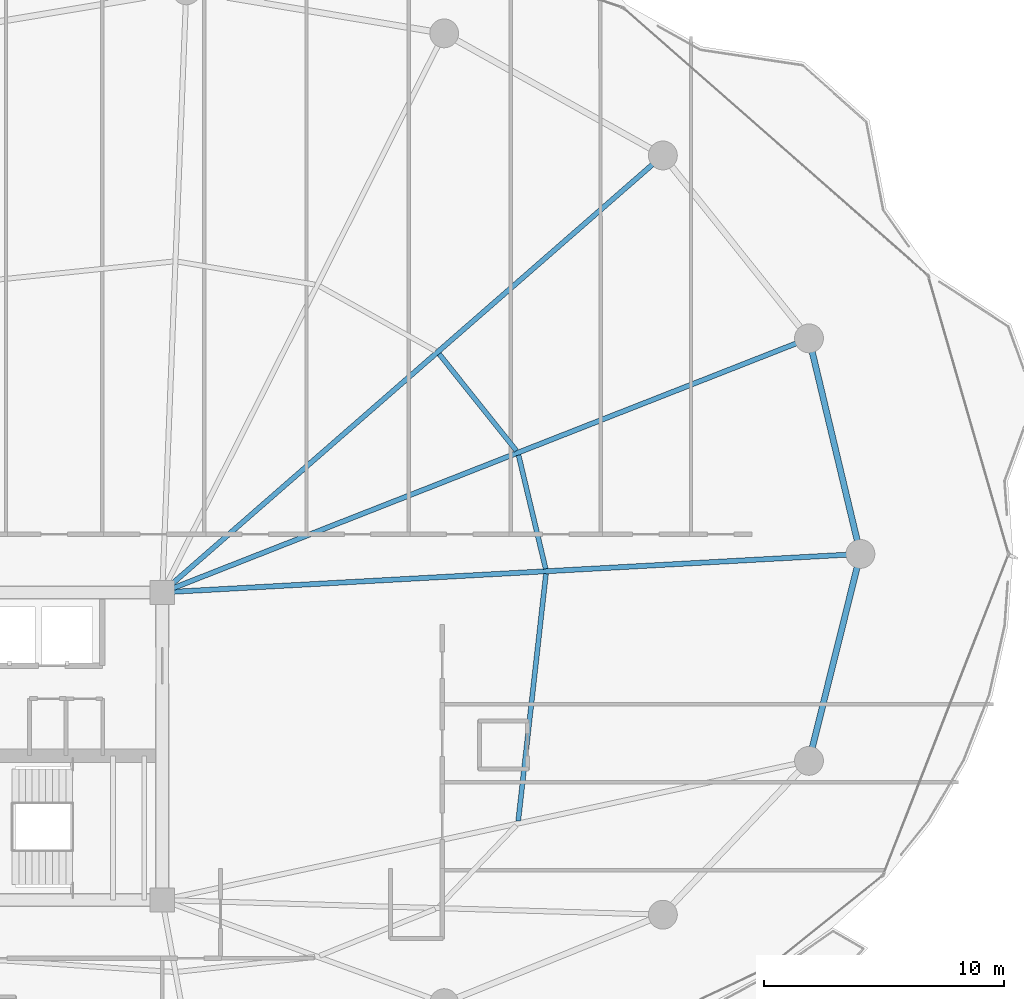
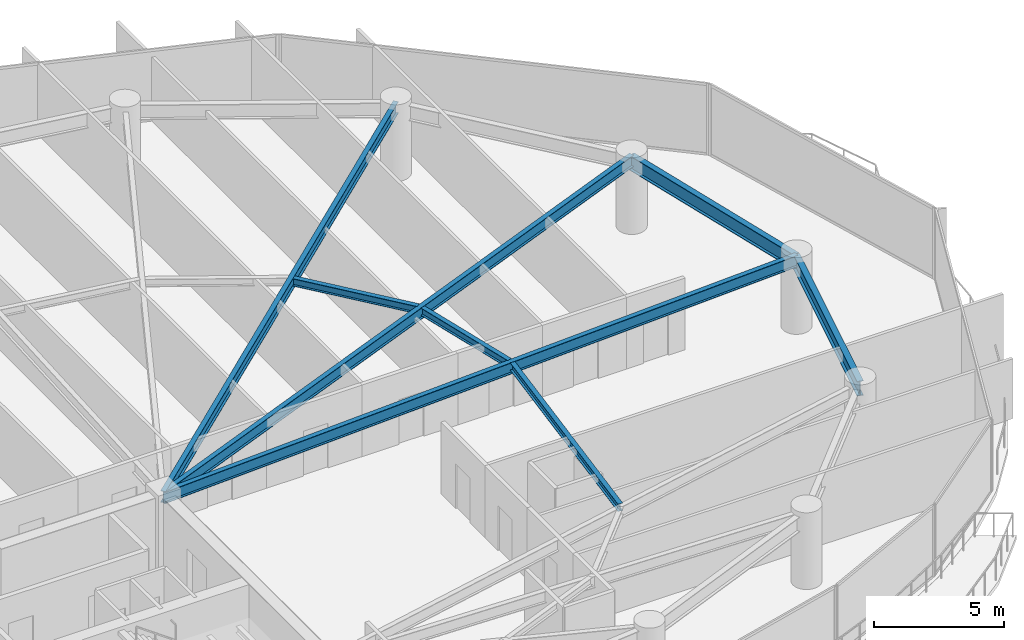
# One storey, part 16 of 34: 8 beams.
"""IFC4 building model written with IfcOpenShell, lengths in metres."""

from ifc_helpers import new_model, si_unit, direction, frame, origin, origin_2d, place, context, subcontext, project, spatial, i_section, extrude, material, material_profile, profile_set, type_object, element, save


model = new_model("IFC4")

# Units and contexts
model_context = context("Model", 3, precision=1e-05, world=origin(), true_north=direction((0.0, 1.0)))
body_context = subcontext(model_context, "Body", "Model", "MODEL_VIEW")
ifc_project = project(units=[si_unit("LENGTHUNIT", "METRE"), si_unit("AREAUNIT", "SQUARE_METRE"), si_unit("VOLUMEUNIT", "CUBIC_METRE"), si_unit("PLANEANGLEUNIT", "RADIAN"), si_unit("MASSUNIT", "GRAM", prefix="KILO")], contexts=[model_context])

# Site, building, storey
site_placement = place(None, origin())
site = spatial("IfcSite", under=ifc_project, at=site_placement, CompositionType="ELEMENT")
building_placement = place(site_placement, origin())
building = spatial("IfcBuilding", under=site, at=building_placement, Name="Kazevale Care Tower and Concert Hall", CompositionType="ELEMENT")
storey_placement = place(building_placement, frame((0.0, 0.0, 160.199951171875)))
storey = spatial("IfcBuildingStorey", under=building, at=storey_placement, Name="L42", CompositionType="ELEMENT", Elevation=160.199951171875)

# Beams
ifc_material = material(Name="Steel ASTM A572 Gr 50", Category="steel")
ifc_material_profile_1 = material_profile(ifc_material, i_section(OverallWidth=0.2119140625, OverallDepth=0.5439453125, WebThickness=0.01318359375, FlangeThickness=0.021240234375, at=origin_2d()), Name="W530x123")
ifc_profile_set_1 = profile_set([ifc_material_profile_1], Name="Steel ASTM A572 Gr 50")
beam_type_1 = type_object("IfcBeamType", Name="Radial Floor Girder W530x123", PredefinedType="BEAM", material=ifc_profile_set_1)
beam_1_placement = place(storey_placement, frame((44.0, 36.39990234375, 3.088134765625), z_axis=(0.998486500016, 0.054997357076, 0.0), x_axis=(-0.054997357076, 0.998486500016, 0.0)))
element("IfcBeam", 1, at=beam_1_placement, inside=storey, type_object=beam_type_1, Name="beam:L42:rad:01", PredefinedType="BEAM", context=body_context, shape_type="SweptSolid", body=[
    extrude(i_section(OverallWidth=0.2119140625, OverallDepth=0.5439453125, WebThickness=0.01318359375, FlangeThickness=0.021240234375, at=origin_2d()), origin(), (0.0, 0.0, 1.0), 29.093994140625),
])
beam_2_placement = place(storey_placement, frame((44.0, 36.39990234375, 3.088134765625), z_axis=(0.930771301513, 0.36560194786, 0.0), x_axis=(-0.36560194786, 0.930771301513, 0.0)))
element("IfcBeam", 2, at=beam_2_placement, inside=storey, type_object=beam_type_1, Name="beam:L42:rad:02", PredefinedType="BEAM", context=body_context, shape_type="SweptSolid", body=[
    extrude(i_section(OverallWidth=0.2119140625, OverallDepth=0.5439453125, WebThickness=0.01318359375, FlangeThickness=0.021240234375, at=origin_2d()), origin(), (0.0, 0.0, 1.0), 28.911376953125),
])
beam_3_placement = place(storey_placement, frame((44.0, 36.39990234375, 3.088134765625), z_axis=(0.753403181998, 0.657558853149, 0.0), x_axis=(-0.657558853149, 0.753403181998, 0.0)))
element("IfcBeam", 3, at=beam_3_placement, inside=storey, type_object=beam_type_1, Name="beam:L42:rad:03", PredefinedType="BEAM", context=body_context, shape_type="SweptSolid", body=[
    extrude(i_section(OverallWidth=0.2119140625, OverallDepth=0.5439453125, WebThickness=0.01318359375, FlangeThickness=0.021240234375, at=origin_2d()), origin(), (0.0, 0.0, 1.0), 27.64794921875),
])
ifc_material_profile_2 = material_profile(ifc_material, i_section(OverallWidth=0.205078125, OverallDepth=0.35400390625, WebThickness=0.009521484375, FlangeThickness=0.016845703125, at=origin_2d()), Name="W360x79")
ifc_profile_set_2 = profile_set([ifc_material_profile_2], Name="Steel ASTM A572 Gr 50")
beam_type_2 = type_object("IfcBeamType", Name="Secondary Floor Joist W360x79", PredefinedType="JOIST", material=ifc_profile_set_2)
beam_4_placement = place(storey_placement, frame((59.952880859375, 37.382080078125, 3.18310546875), z_axis=(-0.232005223279, 0.972714540023, 0.0), x_axis=(-0.972714540023, -0.232005223279, 0.0)))
element("IfcBeam", 4, at=beam_4_placement, inside=storey, type_object=beam_type_2, Name="beam:L42:joist:01", PredefinedType="JOIST", context=body_context, shape_type="SweptSolid", body=[
    extrude(i_section(OverallWidth=0.205078125, OverallDepth=0.35400390625, WebThickness=0.009521484375, FlangeThickness=0.016845703125, at=origin_2d()), origin(), (0.0, 0.0, 1.0), 4.861572265625),
])
beam_5_placement = place(storey_placement, frame((58.735107421875, 42.2958984375, 3.18310546875), z_axis=(-0.624261115922, 0.781215757104, 0.0), x_axis=(-0.781215757104, -0.624261115922, 0.0)))
element("IfcBeam", 5, at=beam_5_placement, inside=storey, type_object=beam_type_2, Name="beam:L42:joist:02", PredefinedType="JOIST", context=body_context, shape_type="SweptSolid", body=[
    extrude(i_section(OverallWidth=0.205078125, OverallDepth=0.35400390625, WebThickness=0.009521484375, FlangeThickness=0.016845703125, at=origin_2d()), origin(), (0.0, 0.0, 1.0), 5.147216796875),
])
beam_6_placement = place(storey_placement, frame((58.81201171875, 26.888916015625, 3.18310546875), z_axis=(0.111485011105, 0.993766115491, 0.0), x_axis=(-0.993766115491, 0.111485011105, 0.0)))
element("IfcBeam", 6, at=beam_6_placement, inside=storey, type_object=beam_type_2, Name="beam:L42:joist:16", PredefinedType="JOIST", context=body_context, shape_type="SweptSolid", body=[
    extrude(i_section(OverallWidth=0.205078125, OverallDepth=0.35400390625, WebThickness=0.009521484375, FlangeThickness=0.016845703125, at=origin_2d()), origin(), (0.0, 0.0, 1.0), 10.3515625),
])
ifc_material_profile_3 = material_profile(ifc_material, i_section(OverallWidth=0.256103515625, OverallDepth=0.693115234375, WebThickness=0.014404296875, FlangeThickness=0.023681640625, at=origin_2d()), Name="W690x170")
ifc_profile_set_3 = profile_set([ifc_material_profile_3], Name="Steel ASTM A572 Gr 50")
beam_type_3 = type_object("IfcBeamType", Name="Waist Ring Beam W690x170", PredefinedType="BEAM", material=ifc_profile_set_3)
beam_7_placement = place(storey_placement, frame((73.050048828125, 38.0, 3.013427734375), z_axis=(-0.232075055882, 0.972697881378, 0.0), x_axis=(-0.972697881378, -0.232075055882, 0.0)))
element("IfcBeam", 7, at=beam_7_placement, inside=storey, type_object=beam_type_3, Name="beam:L42:ring:01", PredefinedType="BEAM", context=body_context, shape_type="SweptSolid", body=[
    extrude(i_section(OverallWidth=0.256103515625, OverallDepth=0.693115234375, WebThickness=0.014404296875, FlangeThickness=0.023681640625, at=origin_2d()), origin(), (0.0, 0.0, 1.0), 9.2216796875),
])
beam_8_placement = place(storey_placement, frame((70.909912109375, 29.389892578125, 3.013427734375), z_axis=(0.241221022882, 0.970470204653, 0.0), x_axis=(-0.970470204653, 0.241221022882, 0.0)))
element("IfcBeam", 8, at=beam_8_placement, inside=storey, type_object=beam_type_3, Name="beam:L42:ring:16", PredefinedType="BEAM", context=body_context, shape_type="SweptSolid", body=[
    extrude(i_section(OverallWidth=0.256103515625, OverallDepth=0.693115234375, WebThickness=0.014404296875, FlangeThickness=0.023681640625, at=origin_2d()), origin(), (0.0, 0.0, 1.0), 8.8720703125),
])

save(model, "model.ifc")
